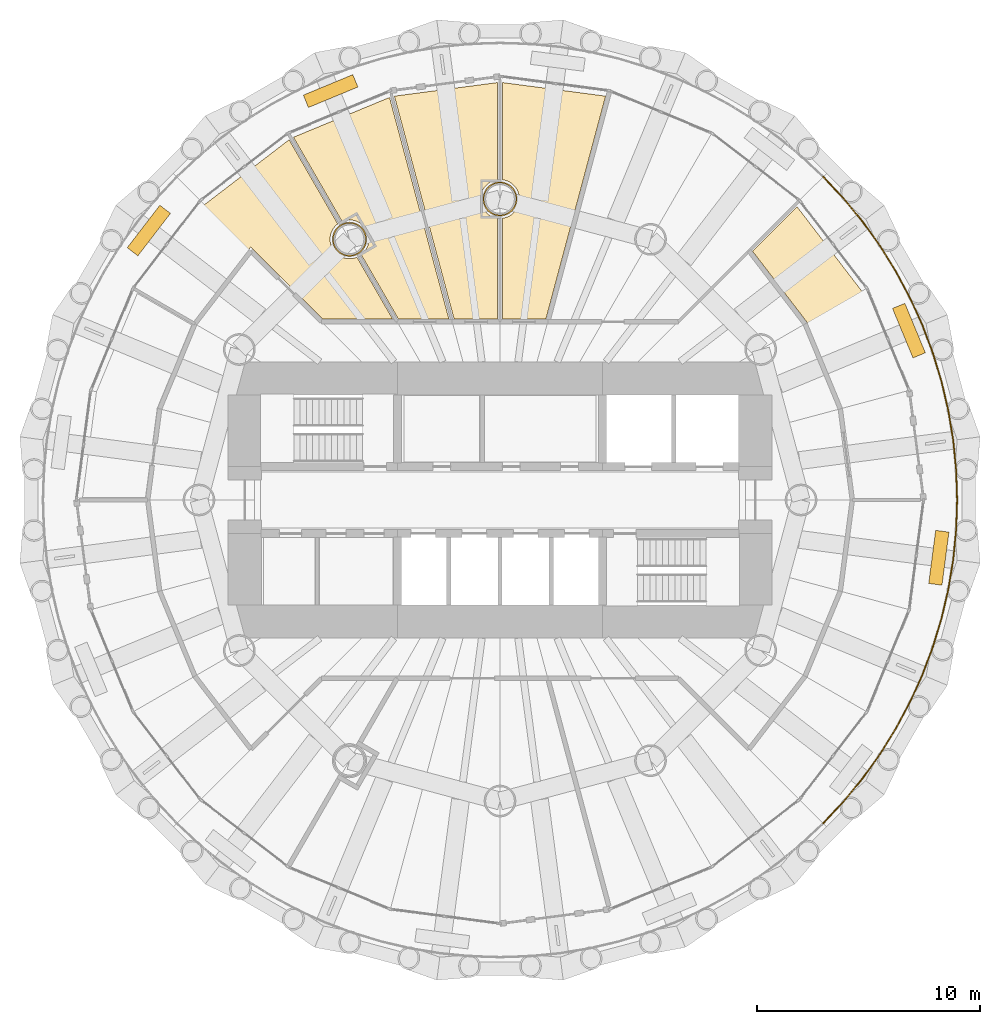
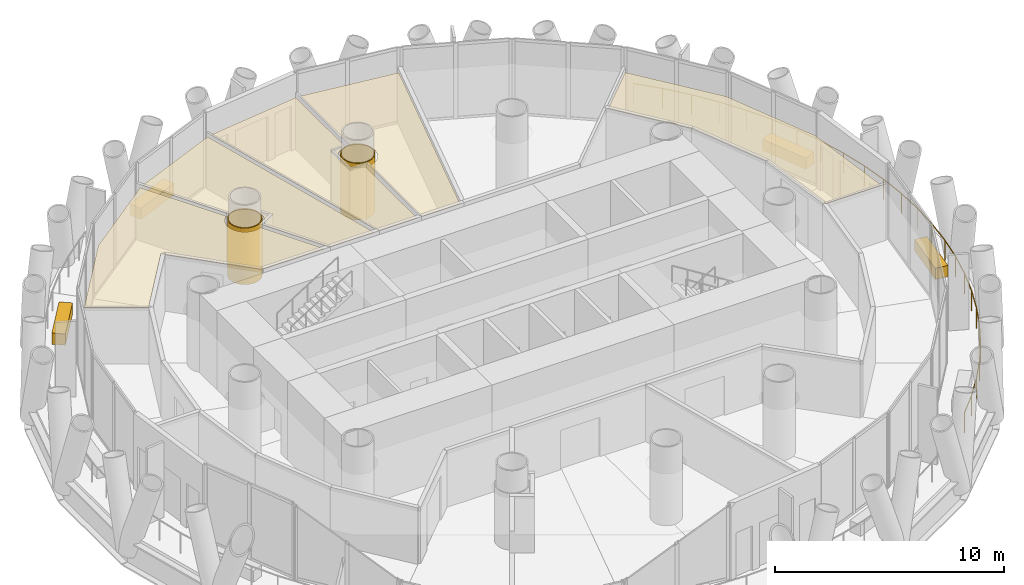
# One storey, part 15 of 16: 11 coverings, 1 railing.
"""IFC4 building model written with IfcOpenShell, lengths in metres."""

from ifc_helpers import new_model, si_unit, direction, frame, origin, origin_2d, place, context, subcontext, project, spatial, polyline, rectangle, circle, outline, extrude, material, layer, layer_set, type_object, element, save


model = new_model("IFC4")

# Units and contexts
model_context = context("Model", 3, precision=1e-05, world=origin(), true_north=direction((0.0, 1.0)))
body_context = subcontext(model_context, "Body", "Model", "MODEL_VIEW")
ifc_project = project(units=[si_unit("LENGTHUNIT", "METRE"), si_unit("AREAUNIT", "SQUARE_METRE"), si_unit("VOLUMEUNIT", "CUBIC_METRE"), si_unit("PLANEANGLEUNIT", "RADIAN"), si_unit("MASSUNIT", "GRAM", prefix="KILO")], contexts=[model_context])

# Site, building, storey
site_placement = place(None, origin())
site = spatial("IfcSite", under=ifc_project, at=site_placement, CompositionType="ELEMENT")
building_placement = place(site_placement, origin())
building = spatial("IfcBuilding", under=site, at=building_placement, Name="Qaws Media Tower", CompositionType="ELEMENT")
storey_placement = place(building_placement, frame((0.0, 0.0, 269.60009765625)))
storey = spatial("IfcBuildingStorey", under=building, at=storey_placement, Name="L62", CompositionType="ELEMENT", Elevation=269.60009765625)

# Coverings
ifc_material_1 = material(Name="40 perforated acoustic panels with mineral wool backing, suspended", Category="mineral fibre")
ifc_layer_1 = layer(ifc_material_1, 0.0400390625)
ifc_layer_set_1 = layer_set([ifc_layer_1], Name="Acoustic panel ceiling 40")
covering_type_1 = type_object("IfcCoveringType", Name="Acoustic panel ceiling 40", PredefinedType="CEILING", material=ifc_layer_set_1)
covering_1_placement = place(storey_placement, frame((0.0, 0.0, 2.849853515625)))
element("IfcCovering", 1, at=covering_1_placement, inside=storey, type_object=covering_type_1, Name="CL3 ceiling L62-02 Boardroom", PredefinedType="CEILING", context=body_context, shape_type="SweptSolid", body=[
    extrude(outline(polyline([(76.22509765625, 59.36767578125), (78.0966796875, 54.84912109375), (78.720458984375, 50.112548828125), (75.898681640625, 50.112548828125), (75.37109375, 54.11865234375), (73.781494140625, 57.956787109375), (71.321533203125, 61.16259765625), (73.31689453125, 63.15771484375), (76.22509765625, 59.36767578125)])), origin(), (0.0, 0.0, 1.0), 0.0400390625),
])
covering_2_placement = place(storey_placement, frame((0.0, 0.0, 2.849853515625)))
element("IfcCovering", 2, at=covering_2_placement, inside=storey, type_object=covering_type_1, Name="CL3 ceiling L62-07 VIP interview room", PredefinedType="CEILING", context=body_context, shape_type="SweptSolid", body=[
    extrude(outline(polyline([(46.752197265625, 63.247802734375), (50.54248046875, 66.156005859375), (52.720703125, 62.383056640625), (52.634033203125, 62.30712890625), (52.55908203125, 62.2216796875), (52.49560546875, 62.126708984375), (52.4453125, 62.024658203125), (52.40869140625, 61.916748046875), (52.386474609375, 61.804931640625), (52.37890625, 61.69140625), (52.386474609375, 61.57763671875), (52.40869140625, 61.4658203125), (52.4453125, 61.35791015625), (52.49560546875, 61.255859375), (52.55908203125, 61.1611328125), (52.634033203125, 61.075439453125), (52.7197265625, 61.000244140625), (52.814453125, 60.93701171875), (52.916748046875, 60.88671875), (53.024658203125, 60.85009765625), (53.13623046875, 60.827880859375), (53.25, 60.8203125), (53.36376953125, 60.827880859375), (53.475341796875, 60.85009765625), (53.58447265625, 60.88720703125), (55.186279296875, 58.112548828125), (52.046630859375, 58.112548828125), (48.816650390625, 61.342529296875), (46.28759765625, 58.046875), (43.843994140625, 59.45751953125), (46.752197265625, 63.247802734375)])), origin(), (0.0, 0.0, 1.0), 0.0400390625),
])

# Railing
ifc_material_2 = material(Name="Stainless steel and glass guard", Category="steel")
railing_type = type_object("IfcRailingType", Name="Balcony guard 1100", PredefinedType="GUARDRAIL", material=ifc_material_2)
railing_placement = place(storey_placement, frame((74.49560546875, 35.50439453125, 0.0)))
element("IfcRailing", 3, at=railing_placement, inside=storey, type_object=railing_type, Name="GR1 balcony guard L62-4", PredefinedType="GUARDRAIL", context=body_context, shape_type="SweptSolid", body=[
    extrude(circle(Radius=0.02392578125, at=origin_2d()), frame((0.0, 0.0, 1.076171875), z_axis=(0.683614130703, 0.729843627295, 0.0), x_axis=(-0.729843627295, 0.683614130703, 0.0)), (0.0, 0.0, 1.0), 1.34130859375),
    extrude(circle(Radius=0.02392578125, at=origin_2d()), frame((0.9169921875, 0.97900390625, 1.076171875), z_axis=(0.634366805564, 0.773032183029, 0.0), x_axis=(-0.773032183029, 0.634366805564, 0.0)), (0.0, 0.0, 1.0), 1.341552734375),
    extrude(circle(Radius=0.02392578125, at=origin_2d()), frame((1.76806640625, 2.01611328125, 1.076171875), z_axis=(0.582563027959, 0.812785530417, 0.0), x_axis=(-0.812785530417, 0.582563027959, 0.0)), (0.0, 0.0, 1.0), 1.341552734375),
    extrude(circle(Radius=0.02392578125, at=origin_2d()), frame((2.549560546875, 3.1064453125, 1.076171875), z_axis=(0.528001532915, 0.849243416954, 0.0), x_axis=(-0.849243416954, 0.528001532915, 0.0)), (0.0, 0.0, 1.0), 1.34130859375),
    extrude(circle(Radius=0.02392578125, at=origin_2d()), frame((3.2578125, 4.24560546875, 1.076171875), z_axis=(0.471504166812, 0.881863833412, 0.0), x_axis=(-0.881863833412, 0.471504166812, 0.0)), (0.0, 0.0, 1.0), 1.341552734375),
    extrude(circle(Radius=0.02392578125, at=origin_2d()), frame((3.890380859375, 5.4287109375, 1.076171875), z_axis=(0.412595890326, 0.910914173392, 0.0), x_axis=(-0.910914173392, 0.412595890326, 0.0)), (0.0, 0.0, 1.0), 1.34130859375),
    extrude(circle(Radius=0.02392578125, at=origin_2d()), frame((4.44384765625, 6.650634765625, 1.076171875), z_axis=(0.352359765348, 0.9358646247, 0.0), x_axis=(-0.9358646247, 0.352359765348, 0.0)), (0.0, 0.0, 1.0), 1.34130859375),
    extrude(circle(Radius=0.02392578125, at=origin_2d()), frame((4.91650390625, 7.906005859375, 1.076171875), z_axis=(0.290285200169, 0.956940177108, 0.0), x_axis=(-0.956940177108, 0.290285200169, 0.0)), (0.0, 0.0, 1.0), 1.341552734375),
    extrude(circle(Radius=0.02392578125, at=origin_2d()), frame((5.305908203125, 9.189697265625, 1.076171875), z_axis=(0.227091558149, 0.97387341283, 0.0), x_axis=(-0.97387341283, 0.227091558149, 0.0)), (0.0, 0.0, 1.0), 1.341796875),
    extrude(circle(Radius=0.02392578125, at=origin_2d()), frame((5.610595703125, 10.496337890625, 1.076171875), z_axis=(0.162893573681, 0.986643645727, 0.0), x_axis=(-0.986643645727, 0.162893573681, 0.0)), (0.0, 0.0, 1.0), 1.34130859375),
    extrude(circle(Radius=0.02392578125, at=origin_2d()), frame((5.8291015625, 11.81982421875, 1.076171875), z_axis=(0.097917820601, 0.995194503808, 0.0), x_axis=(-0.995194503808, 0.097917820601, 0.0)), (0.0, 0.0, 1.0), 1.34130859375),
    extrude(circle(Radius=0.02392578125, at=origin_2d()), frame((5.96044921875, 13.15478515625, 1.076171875), z_axis=(0.03275735617, 0.999463333803, 0.0), x_axis=(-0.999463333803, 0.03275735617, 0.0)), (0.0, 0.0, 1.0), 1.341552734375),
    extrude(circle(Radius=0.02392578125, at=origin_2d()), frame((6.00439453125, 14.49560546875, 1.076171875), z_axis=(-0.03275735617, 0.999463333803, 0.0), x_axis=(-0.999463333803, -0.03275735617, 0.0)), (0.0, 0.0, 1.0), 1.341552734375),
    extrude(circle(Radius=0.02392578125, at=origin_2d()), frame((5.96044921875, 15.83642578125, 1.076171875), z_axis=(-0.097917820601, 0.995194503808, 0.0), x_axis=(-0.995194503808, -0.097917820601, 0.0)), (0.0, 0.0, 1.0), 1.34130859375),
    extrude(circle(Radius=0.02392578125, at=origin_2d()), frame((5.8291015625, 17.17138671875, 1.076171875), z_axis=(-0.162893573681, 0.986643645727, 0.0), x_axis=(-0.986643645727, -0.162893573681, 0.0)), (0.0, 0.0, 1.0), 1.34130859375),
    extrude(circle(Radius=0.02392578125, at=origin_2d()), frame((5.610595703125, 18.494873046875, 1.076171875), z_axis=(-0.227091558149, 0.97387341283, 0.0), x_axis=(-0.97387341283, -0.227091558149, 0.0)), (0.0, 0.0, 1.0), 1.341796875),
    extrude(circle(Radius=0.02392578125, at=origin_2d()), frame((5.305908203125, 19.801513671875, 1.076171875), z_axis=(-0.290285200169, 0.956940177108, 0.0), x_axis=(-0.956940177108, -0.290285200169, 0.0)), (0.0, 0.0, 1.0), 1.341552734375),
    extrude(circle(Radius=0.02392578125, at=origin_2d()), frame((4.91650390625, 21.085205078125, 1.076171875), z_axis=(-0.352359765348, 0.9358646247, 0.0), x_axis=(-0.9358646247, -0.352359765348, 0.0)), (0.0, 0.0, 1.0), 1.34130859375),
    extrude(circle(Radius=0.02392578125, at=origin_2d()), frame((4.44384765625, 22.340576171875, 1.076171875), z_axis=(-0.412595890326, 0.910914173392, 0.0), x_axis=(-0.910914173392, -0.412595890326, 0.0)), (0.0, 0.0, 1.0), 1.34130859375),
    extrude(circle(Radius=0.02392578125, at=origin_2d()), frame((3.890380859375, 23.5625, 1.076171875), z_axis=(-0.471504166812, 0.881863833412, 0.0), x_axis=(-0.881863833412, -0.471504166812, 0.0)), (0.0, 0.0, 1.0), 1.341552734375),
    extrude(circle(Radius=0.02392578125, at=origin_2d()), frame((3.2578125, 24.74560546875, 1.076171875), z_axis=(-0.528001532915, 0.849243416954, 0.0), x_axis=(-0.849243416954, -0.528001532915, 0.0)), (0.0, 0.0, 1.0), 1.34130859375),
    extrude(circle(Radius=0.02392578125, at=origin_2d()), frame((2.549560546875, 25.884765625, 1.076171875), z_axis=(-0.582563027959, 0.812785530417, 0.0), x_axis=(-0.812785530417, -0.582563027959, 0.0)), (0.0, 0.0, 1.0), 1.341552734375),
    extrude(circle(Radius=0.02392578125, at=origin_2d()), frame((1.76806640625, 26.97509765625, 1.076171875), z_axis=(-0.634366805564, 0.773032183029, 0.0), x_axis=(-0.773032183029, -0.634366805564, 0.0)), (0.0, 0.0, 1.0), 1.341552734375),
    extrude(circle(Radius=0.02392578125, at=origin_2d()), frame((0.9169921875, 28.01220703125, 1.076171875), z_axis=(-0.683614130703, 0.729843627295, 0.0), x_axis=(-0.729843627295, -0.683614130703, 0.0)), (0.0, 0.0, 1.0), 1.34130859375),
    extrude(circle(Radius=0.02099609375, at=origin_2d()), origin(), (0.0, 0.0, 1.0), 1.052001953125),
    extrude(circle(Radius=0.02099609375, at=origin_2d()), frame((0.9169921875, 0.97900390625, 0.0)), (0.0, 0.0, 1.0), 1.052001953125),
    extrude(circle(Radius=0.02099609375, at=origin_2d()), frame((1.76806640625, 2.01611328125, 0.0)), (0.0, 0.0, 1.0), 1.052001953125),
    extrude(circle(Radius=0.02099609375, at=origin_2d()), frame((2.549560546875, 3.1064453125, 0.0)), (0.0, 0.0, 1.0), 1.052001953125),
    extrude(circle(Radius=0.02099609375, at=origin_2d()), frame((3.2578125, 4.24560546875, 0.0)), (0.0, 0.0, 1.0), 1.052001953125),
    extrude(circle(Radius=0.02099609375, at=origin_2d()), frame((3.890380859375, 5.4287109375, 0.0)), (0.0, 0.0, 1.0), 1.052001953125),
    extrude(circle(Radius=0.02099609375, at=origin_2d()), frame((4.44384765625, 6.650634765625, 0.0)), (0.0, 0.0, 1.0), 1.052001953125),
    extrude(circle(Radius=0.02099609375, at=origin_2d()), frame((4.91650390625, 7.906005859375, 0.0)), (0.0, 0.0, 1.0), 1.052001953125),
    extrude(circle(Radius=0.02099609375, at=origin_2d()), frame((5.305908203125, 9.189697265625, 0.0)), (0.0, 0.0, 1.0), 1.052001953125),
    extrude(circle(Radius=0.02099609375, at=origin_2d()), frame((5.610595703125, 10.496337890625, 0.0)), (0.0, 0.0, 1.0), 1.052001953125),
    extrude(circle(Radius=0.02099609375, at=origin_2d()), frame((5.8291015625, 11.81982421875, 0.0)), (0.0, 0.0, 1.0), 1.052001953125),
    extrude(circle(Radius=0.02099609375, at=origin_2d()), frame((5.96044921875, 13.15478515625, 0.0)), (0.0, 0.0, 1.0), 1.052001953125),
    extrude(circle(Radius=0.02099609375, at=origin_2d()), frame((6.00439453125, 14.49560546875, 0.0)), (0.0, 0.0, 1.0), 1.052001953125),
    extrude(circle(Radius=0.02099609375, at=origin_2d()), frame((5.96044921875, 15.83642578125, 0.0)), (0.0, 0.0, 1.0), 1.052001953125),
    extrude(circle(Radius=0.02099609375, at=origin_2d()), frame((5.8291015625, 17.17138671875, 0.0)), (0.0, 0.0, 1.0), 1.052001953125),
    extrude(circle(Radius=0.02099609375, at=origin_2d()), frame((5.610595703125, 18.494873046875, 0.0)), (0.0, 0.0, 1.0), 1.052001953125),
    extrude(circle(Radius=0.02099609375, at=origin_2d()), frame((5.305908203125, 19.801513671875, 0.0)), (0.0, 0.0, 1.0), 1.052001953125),
    extrude(circle(Radius=0.02099609375, at=origin_2d()), frame((4.91650390625, 21.085205078125, 0.0)), (0.0, 0.0, 1.0), 1.052001953125),
    extrude(circle(Radius=0.02099609375, at=origin_2d()), frame((4.44384765625, 22.340576171875, 0.0)), (0.0, 0.0, 1.0), 1.052001953125),
    extrude(circle(Radius=0.02099609375, at=origin_2d()), frame((3.890380859375, 23.5625, 0.0)), (0.0, 0.0, 1.0), 1.052001953125),
    extrude(circle(Radius=0.02099609375, at=origin_2d()), frame((3.2578125, 24.74560546875, 0.0)), (0.0, 0.0, 1.0), 1.052001953125),
    extrude(circle(Radius=0.02099609375, at=origin_2d()), frame((2.549560546875, 25.884765625, 0.0)), (0.0, 0.0, 1.0), 1.052001953125),
    extrude(circle(Radius=0.02099609375, at=origin_2d()), frame((1.76806640625, 26.97509765625, 0.0)), (0.0, 0.0, 1.0), 1.052001953125),
    extrude(circle(Radius=0.02099609375, at=origin_2d()), frame((0.9169921875, 28.01220703125, 0.0)), (0.0, 0.0, 1.0), 1.052001953125),
    extrude(circle(Radius=0.02099609375, at=origin_2d()), frame((0.0, 28.9912109375, 0.0)), (0.0, 0.0, 1.0), 1.052001953125),
])

# Coverings
ifc_material_3 = material(Name="Two layers 15 fire-rated gypsum board on steel framing", Category="steel")
ifc_layer_2 = layer(ifc_material_3, 0.050048828125)
ifc_layer_set_2 = layer_set([ifc_layer_2], Name="Column fire casing")
covering_type_2 = type_object("IfcCoveringType", Name="Column fire casing", PredefinedType="CLADDING", material=ifc_layer_set_2)
covering_3_placement = place(storey_placement, origin())
element("IfcCovering", 4, at=covering_3_placement, inside=storey, type_object=covering_type_2, Name="CC1 column casing L62", PredefinedType="CLADDING", context=body_context, shape_type="SweptSolid", body=[
    extrude(outline(polyline([(60.76611328125, 63.5), (60.759521484375, 63.39990234375), (60.739990234375, 63.3017578125), (60.707763671875, 63.206787109375), (60.663330078125, 63.116943359375), (60.607666015625, 63.03369140625), (60.54150390625, 62.95849609375), (60.46630859375, 62.892333984375), (60.383056640625, 62.836669921875), (60.293212890625, 62.792236328125), (60.1982421875, 62.760009765625), (60.10009765625, 62.740478515625), (60.0, 62.73388671875), (59.89990234375, 62.740478515625), (59.8017578125, 62.760009765625), (59.706787109375, 62.792236328125), (59.616943359375, 62.836669921875), (59.53369140625, 62.892333984375), (59.45849609375, 62.95849609375), (59.392333984375, 63.03369140625), (59.336669921875, 63.116943359375), (59.292236328125, 63.206787109375), (59.260009765625, 63.3017578125), (59.240478515625, 63.39990234375), (59.23388671875, 63.5), (59.240478515625, 63.60009765625), (59.260009765625, 63.6982421875), (59.292236328125, 63.793212890625), (59.336669921875, 63.883056640625), (59.392333984375, 63.96630859375), (59.45849609375, 64.04150390625), (59.53369140625, 64.107666015625), (59.616943359375, 64.163330078125), (59.706787109375, 64.207763671875), (59.8017578125, 64.239990234375), (59.89990234375, 64.259521484375), (60.0, 64.26611328125), (60.10009765625, 64.259521484375), (60.1982421875, 64.239990234375), (60.293212890625, 64.207763671875), (60.383056640625, 64.163330078125), (60.46630859375, 64.107666015625), (60.54150390625, 64.04150390625), (60.607666015625, 63.96630859375), (60.663330078125, 63.883056640625), (60.707763671875, 63.793212890625), (60.739990234375, 63.6982421875), (60.759521484375, 63.60009765625), (60.76611328125, 63.5)]), holes=[polyline([(60.714111328125, 63.5), (60.7080078125, 63.40673828125), (60.689697265625, 63.315185546875), (60.65966796875, 63.226806640625), (60.618408203125, 63.14306640625), (60.56640625, 63.065185546875), (60.5048828125, 62.9951171875), (60.434814453125, 62.93359375), (60.35693359375, 62.881591796875), (60.273193359375, 62.84033203125), (60.184814453125, 62.810302734375), (60.09326171875, 62.7919921875), (60.0, 62.785888671875), (59.90673828125, 62.7919921875), (59.815185546875, 62.810302734375), (59.726806640625, 62.84033203125), (59.64306640625, 62.881591796875), (59.565185546875, 62.93359375), (59.4951171875, 62.9951171875), (59.43359375, 63.065185546875), (59.381591796875, 63.14306640625), (59.34033203125, 63.226806640625), (59.310302734375, 63.315185546875), (59.2919921875, 63.40673828125), (59.285888671875, 63.5), (59.2919921875, 63.59326171875), (59.310302734375, 63.684814453125), (59.34033203125, 63.773193359375), (59.381591796875, 63.85693359375), (59.43359375, 63.934814453125), (59.4951171875, 64.0048828125), (59.565185546875, 64.06640625), (59.64306640625, 64.118408203125), (59.726806640625, 64.15966796875), (59.815185546875, 64.189697265625), (59.90673828125, 64.2080078125), (60.0, 64.214111328125), (60.09326171875, 64.2080078125), (60.184814453125, 64.189697265625), (60.273193359375, 64.15966796875), (60.35693359375, 64.118408203125), (60.434814453125, 64.06640625), (60.5048828125, 64.0048828125), (60.56640625, 63.934814453125), (60.618408203125, 63.85693359375), (60.65966796875, 63.773193359375), (60.689697265625, 63.684814453125), (60.7080078125, 63.59326171875), (60.714111328125, 63.5)])]), origin(), (0.0, 0.0, 1.0), 3.02001953125),
])
covering_4_placement = place(storey_placement, origin())
element("IfcCovering", 5, at=covering_4_placement, inside=storey, type_object=covering_type_2, Name="CC1 column casing L62", PredefinedType="CLADDING", context=body_context, shape_type="SweptSolid", body=[
    extrude(outline(polyline([(54.01611328125, 61.69140625), (54.009521484375, 61.59130859375), (53.989990234375, 61.4931640625), (53.957763671875, 61.398193359375), (53.913330078125, 61.308349609375), (53.857666015625, 61.22509765625), (53.79150390625, 61.149658203125), (53.71630859375, 61.08349609375), (53.633056640625, 61.028076171875), (53.543212890625, 60.983642578125), (53.4482421875, 60.951416015625), (53.35009765625, 60.931884765625), (53.25, 60.92529296875), (53.14990234375, 60.931884765625), (53.0517578125, 60.951416015625), (52.956787109375, 60.983642578125), (52.866943359375, 61.028076171875), (52.78369140625, 61.08349609375), (52.70849609375, 61.149658203125), (52.642333984375, 61.22509765625), (52.586669921875, 61.308349609375), (52.542236328125, 61.398193359375), (52.510009765625, 61.4931640625), (52.490478515625, 61.59130859375), (52.48388671875, 61.69140625), (52.490478515625, 61.791259765625), (52.510009765625, 61.8896484375), (52.542236328125, 61.984619140625), (52.586669921875, 62.07421875), (52.642333984375, 62.15771484375), (52.70849609375, 62.23291015625), (52.78369140625, 62.299072265625), (52.866943359375, 62.354736328125), (52.956787109375, 62.39892578125), (53.0517578125, 62.43115234375), (53.14990234375, 62.45068359375), (53.25, 62.457275390625), (53.35009765625, 62.45068359375), (53.4482421875, 62.43115234375), (53.543212890625, 62.39892578125), (53.633056640625, 62.354736328125), (53.71630859375, 62.299072265625), (53.79150390625, 62.23291015625), (53.857666015625, 62.15771484375), (53.913330078125, 62.07421875), (53.957763671875, 61.984619140625), (53.989990234375, 61.8896484375), (54.009521484375, 61.791259765625), (54.01611328125, 61.69140625)]), holes=[polyline([(53.964111328125, 61.69140625), (53.9580078125, 61.59814453125), (53.939697265625, 61.506591796875), (53.90966796875, 61.418212890625), (53.868408203125, 61.334228515625), (53.81640625, 61.256591796875), (53.7548828125, 61.1865234375), (53.684814453125, 61.125), (53.60693359375, 61.072998046875), (53.523193359375, 61.03173828125), (53.434814453125, 61.001708984375), (53.34326171875, 60.9833984375), (53.25, 60.977294921875), (53.15673828125, 60.9833984375), (53.065185546875, 61.001708984375), (52.976806640625, 61.03173828125), (52.89306640625, 61.072998046875), (52.815185546875, 61.125), (52.7451171875, 61.1865234375), (52.68359375, 61.256591796875), (52.631591796875, 61.334228515625), (52.59033203125, 61.418212890625), (52.560302734375, 61.506591796875), (52.5419921875, 61.59814453125), (52.535888671875, 61.69140625), (52.5419921875, 61.784423828125), (52.560302734375, 61.876220703125), (52.59033203125, 61.964599609375), (52.631591796875, 62.04833984375), (52.68359375, 62.1259765625), (52.7451171875, 62.1962890625), (52.815185546875, 62.2578125), (52.89306640625, 62.309814453125), (52.976806640625, 62.35107421875), (53.065185546875, 62.381103515625), (53.15673828125, 62.399169921875), (53.25, 62.4052734375), (53.34326171875, 62.399169921875), (53.434814453125, 62.381103515625), (53.523193359375, 62.35107421875), (53.60693359375, 62.309814453125), (53.684814453125, 62.2578125), (53.7548828125, 62.1962890625), (53.81640625, 62.1259765625), (53.868408203125, 62.04833984375), (53.90966796875, 61.964599609375), (53.939697265625, 61.876220703125), (53.9580078125, 61.784423828125), (53.964111328125, 61.69140625)])]), origin(), (0.0, 0.0, 1.0), 3.02001953125),
])
ifc_material_4 = material(Name="Precast concrete planter with trailing planting", Category="concrete")
ifc_layer_3 = layer(ifc_material_4, 0.60009765625)
ifc_layer_set_3 = layer_set([ifc_layer_3], Name="Planter 2400x600")
covering_type_3 = type_object("IfcCoveringType", Name="Planter 2400x600", PredefinedType="USERDEFINED", material=ifc_layer_set_3)
for number, where, z_axis, x_axis, name in (
    (6, (78.339111328125, 57.59619140625, -0.000244140625), (0.0, 0.0, 1.0), (-0.382683432365, 0.923879532511, 0.0), "PL1 balcony planter L62-01"),
    (7, (52.40380859375, 68.339111328125, -0.000244140625), (0.0, 0.0, 1.0), (-0.923879532511, -0.382683432365, 0.0), "PL1 balcony planter L62-04"),
    (8, (44.251953125, 62.083984375, -0.000244140625), (0.0, 0.0, 1.0), (-0.608761429009, -0.793353340291, 0.0), "PL1 balcony planter L62-05"),
    (9, (79.68017578125, 47.408935546875, -0.000244140625), (0.0, 0.0, 1.0), (0.13052619222, 0.991444861374, 0.0), "PL1 balcony planter L62-12"),
):
    element("IfcCovering", number, at=place(storey_placement, frame(where, z_axis=z_axis, x_axis=x_axis)), inside=storey, type_object=covering_type_3, Name=name, ObjectType="PLANTER", PredefinedType="USERDEFINED", context=body_context, shape_type="SweptSolid", body=[
        extrude(rectangle(XDim=2.39990234375, YDim=0.60009765625, at=origin_2d()), origin(), (0.0, 0.0, 1.0), 0.60009765625),
    ])
ifc_material_5 = material(Name="Two layers 12.5 moisture-resistant plasterboard on suspended metal furring", Category="gypsum")
ifc_layer_4 = layer(ifc_material_5, 0.02490234375)
ifc_layer_set_4 = layer_set([ifc_layer_4], Name="Plasterboard ceiling 25")
covering_type_4 = type_object("IfcCoveringType", Name="Plasterboard ceiling 25", PredefinedType="CEILING", material=ifc_layer_set_4)
covering_5_placement = place(storey_placement, frame((0.0, 0.0, 2.849853515625)))
element("IfcCovering", 10, at=covering_5_placement, inside=storey, type_object=covering_type_4, Name="CL2 ceiling L62-04 Executive office", PredefinedType="CEILING", context=body_context, shape_type="SweptSolid", body=[
    extrude(outline(polyline([(64.736572265625, 68.11181640625), (62.057373046875, 58.112548828125), (60.112548828125, 58.112548828125), (60.112548828125, 62.636474609375), (60.225341796875, 62.65869140625), (60.333251953125, 62.6953125), (60.435546875, 62.74560546875), (60.5302734375, 62.80908203125), (60.615966796875, 62.884033203125), (60.69091796875, 62.9697265625), (60.75439453125, 63.064453125), (60.8046875, 63.166748046875), (60.84130859375, 63.274658203125), (60.863525390625, 63.38623046875), (60.87109375, 63.5), (60.863525390625, 63.61376953125), (60.84130859375, 63.725341796875), (60.8046875, 63.833251953125), (60.75439453125, 63.935546875), (60.69091796875, 64.0302734375), (60.615966796875, 64.115966796875), (60.5302734375, 64.19091796875), (60.435546875, 64.25439453125), (60.333251953125, 64.3046875), (60.225341796875, 64.34130859375), (60.112548828125, 64.363525390625), (60.112548828125, 68.720458984375), (64.736572265625, 68.11181640625)])), origin(), (0.0, 0.0, 1.0), 0.025146484375),
])
covering_6_placement = place(storey_placement, frame((0.0, 0.0, 2.849853515625)))
element("IfcCovering", 11, at=covering_6_placement, inside=storey, type_object=covering_type_4, Name="CL2 ceiling L62-05 Executive office", PredefinedType="CEILING", context=body_context, shape_type="SweptSolid", body=[
    extrude(outline(polyline([(59.887451171875, 68.720458984375), (59.887451171875, 64.363525390625), (59.774658203125, 64.34130859375), (59.666748046875, 64.3046875), (59.564453125, 64.25439453125), (59.4697265625, 64.19091796875), (59.384033203125, 64.115966796875), (59.30908203125, 64.0302734375), (59.24560546875, 63.935546875), (59.1953125, 63.833251953125), (59.15869140625, 63.725341796875), (59.136474609375, 63.61376953125), (59.12890625, 63.5), (59.136474609375, 63.38623046875), (59.15869140625, 63.274658203125), (59.1953125, 63.166748046875), (59.24560546875, 63.064453125), (59.30908203125, 62.9697265625), (59.384033203125, 62.884033203125), (59.4697265625, 62.80908203125), (59.564453125, 62.74560546875), (59.666748046875, 62.6953125), (59.774658203125, 62.65869140625), (59.887451171875, 62.636474609375), (59.887451171875, 58.112548828125), (57.942626953125, 58.112548828125), (55.263427734375, 68.11181640625), (59.887451171875, 68.720458984375)])), origin(), (0.0, 0.0, 1.0), 0.025146484375),
])
covering_7_placement = place(storey_placement, frame((0.0, 0.0, 2.849853515625)))
element("IfcCovering", 12, at=covering_7_placement, inside=storey, type_object=covering_type_4, Name="CL2 ceiling L62-06 Executive office", PredefinedType="CEILING", context=body_context, shape_type="SweptSolid", body=[
    extrude(outline(polyline([(55.046142578125, 68.053466796875), (57.709716796875, 58.112548828125), (55.446044921875, 58.112548828125), (53.779296875, 60.999755859375), (53.865966796875, 61.075439453125), (53.94091796875, 61.1611328125), (54.00439453125, 61.255859375), (54.0546875, 61.35791015625), (54.09130859375, 61.4658203125), (54.113525390625, 61.57763671875), (54.12109375, 61.69140625), (54.113525390625, 61.804931640625), (54.09130859375, 61.916748046875), (54.0546875, 62.024658203125), (54.00439453125, 62.126708984375), (53.94091796875, 62.2216796875), (53.865966796875, 62.30712890625), (53.7802734375, 62.38232421875), (53.685546875, 62.44580078125), (53.583251953125, 62.49609375), (53.475341796875, 62.53271484375), (53.36376953125, 62.554931640625), (53.25, 62.562255859375), (53.13623046875, 62.554931640625), (53.024658203125, 62.53271484375), (52.91552734375, 62.49560546875), (50.7373046875, 66.2685546875), (55.046142578125, 68.053466796875)])), origin(), (0.0, 0.0, 1.0), 0.025146484375),
])

save(model, "model.ifc")
